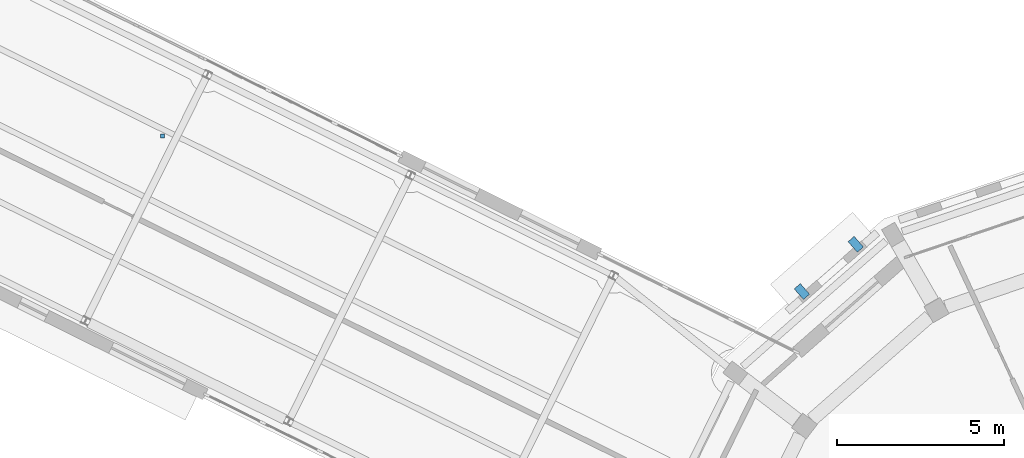
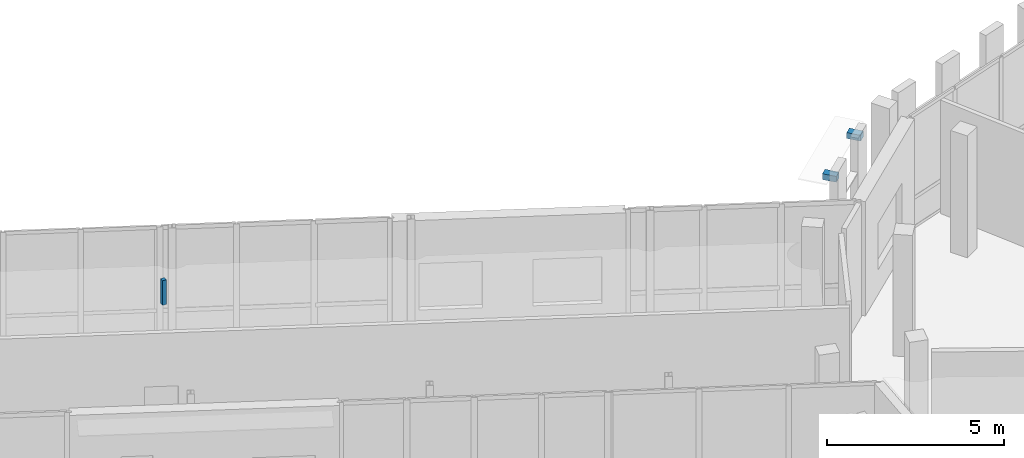
# One storey, part 117 of 125: 3 discrete accessories.
"""IFC4 building model written with IfcOpenShell, lengths in metres."""

import ifcopenshell
import ifcopenshell.guid

model = None  # the IFC model being written
_history = None  # IfcOwnerHistory: only IFC2X3 demands one
_inside = {}  # id of a spatial element -> (the spatial element, [elements in it])
_under = {}  # id of a project, library or spatial element -> (it, [spatial elements below it])
_declared = {}  # id of a project -> (the project, [libraries it declares])
_typed = {}  # id of a type object -> (the type object, [elements of that type])
_made_of = {}  # id of a material, layer set ... -> (it, [elements and type objects made of it])


def new_model(schema):
    """Start an empty IFC model of exactly this schema.

    Asked for "IFC4X3", IfcOpenShell would pick the latest addendum, in which some entities
    have other attributes; the version numbers below select the first issue.
    IFC2X3 requires an IfcOwnerHistory on every rooted entity: one is made here for all.
    """
    global model, _history
    if schema == "IFC4X3":
        model = ifcopenshell.file(schema_version=(4, 3, 0, 0))
    else:
        model = ifcopenshell.file(schema=schema)
    _inside.clear()
    _under.clear()
    _declared.clear()
    _typed.clear()
    _made_of.clear()
    _history = None
    if model.schema == "IFC2X3":
        org = make("IfcOrganization", Name="unknown")
        user = make(
            "IfcPersonAndOrganization",
            ThePerson=make("IfcPerson", FamilyName="unknown"),
            TheOrganization=org,
        )
        app = make(
            "IfcApplication",
            ApplicationDeveloper=org,
            Version="unknown",
            ApplicationFullName="unknown",
            ApplicationIdentifier="unknown",
        )
        _history = make(
            "IfcOwnerHistory",
            OwningUser=user,
            OwningApplication=app,
            ChangeAction="ADDED",
            CreationDate=0,
        )
    return model


def make(cls, **values):
    """One entity of the class cls with the attributes given. An attribute that is None is left unset."""
    return model.create_entity(
        cls, **{name: value for name, value in values.items() if value is not None}
    )


def rooted(cls, **values):
    """An entity with a GlobalId (a new one), such as an element, a storey or a relation."""
    return make(cls, GlobalId=ifcopenshell.guid.new(), OwnerHistory=_history, **values)


def si_unit(unit_type, name, prefix=None):
    """IfcSIUnit, for example si_unit("LENGTHUNIT", "METRE", prefix="MILLI")."""
    return make("IfcSIUnit", UnitType=unit_type, Prefix=prefix, Name=name)


def assignment(units):
    """IfcUnitAssignment: the units of a project."""
    return None if units is None else make("IfcUnitAssignment", Units=units)


def point(xyz):
    """IfcCartesianPoint."""
    return None if xyz is None else make("IfcCartesianPoint", Coordinates=xyz)


def direction(xyz):
    """IfcDirection."""
    return None if xyz is None else make("IfcDirection", DirectionRatios=xyz)


def frame(location, z_axis=None, x_axis=None):
    """IfcAxis2Placement3D, a coordinate frame: its origin and axes. An axis left out is left unset."""
    return make(
        "IfcAxis2Placement3D",
        Location=point(location),
        Axis=direction(z_axis),
        RefDirection=direction(x_axis),
    )


def frame_2d(location, x_axis=None):
    """IfcAxis2Placement2D, a coordinate frame in the plane: its origin and x axis."""
    return make(
        "IfcAxis2Placement2D", Location=point(location), RefDirection=direction(x_axis)
    )


def origin():
    """The frame at (0, 0, 0) with its axes left unset."""
    return frame((0.0, 0.0, 0.0))


def origin_2d():
    """The frame at (0, 0) in the plane with its x axis left unset."""
    return frame_2d((0.0, 0.0))


def place(relative_to, where):
    """IfcLocalPlacement: puts the frame where relative to a parent placement (None: the world)."""
    return make(
        "IfcLocalPlacement", PlacementRelTo=relative_to, RelativePlacement=where
    )


def context(
    kind, dimensions, precision=None, world=None, true_north=None, identifier=None
):
    """IfcGeometricRepresentationContext, for example the 3D "Model" context."""
    return make(
        "IfcGeometricRepresentationContext",
        ContextIdentifier=identifier,
        ContextType=kind,
        CoordinateSpaceDimension=dimensions,
        Precision=precision,
        WorldCoordinateSystem=world,
        TrueNorth=true_north,
    )


def subcontext(parent, identifier, kind, view, scale=None):
    """IfcGeometricRepresentationSubContext, for example "Body" below "Model"."""
    return make(
        "IfcGeometricRepresentationSubContext",
        ContextIdentifier=identifier,
        ContextType=kind,
        ParentContext=parent,
        TargetScale=scale,
        TargetView=view,
    )


def project(units=None, contexts=None):
    """IfcProject with its units and contexts."""
    return rooted(
        "IfcProject",
        Name="project",
        RepresentationContexts=contexts,
        UnitsInContext=assignment(units),
    )


def spatial(cls, under=None, at=None, **own):
    """A site, building, storey or space (cls), placed at a placement, below another one or the project."""
    s = rooted(cls, ObjectPlacement=at, **own)
    if under is not None:
        _under.setdefault(under.id(), (under, []))[1].append(s)
    return s


def profile(cls, at=None, kind="AREA", **sizes):
    """A parametric profile (cls). Its sizes go by their IFC names, for example OverallWidth=200.0."""
    return make(cls, ProfileType=kind, Position=at, **sizes)


def rectangle(**sizes):
    """IfcRectangleProfileDef."""
    return profile("IfcRectangleProfileDef", **sizes)


def extrude(swept, where, along, depth):
    """IfcExtrudedAreaSolid: the profile swept, set in the frame where, extruded along a direction by depth."""
    return make(
        "IfcExtrudedAreaSolid",
        SweptArea=swept,
        Position=where,
        ExtrudedDirection=direction(along),
        Depth=depth,
    )


def shape(context_of_items, identifier, shape_type, items):
    """IfcShapeRepresentation: the items that make up one representation, for example the "Body"."""
    return make(
        "IfcShapeRepresentation",
        ContextOfItems=context_of_items,
        RepresentationIdentifier=identifier,
        RepresentationType=shape_type,
        Items=items,
    )


def material(Name=None, Category=None):
    """IfcMaterial."""
    return make("IfcMaterial", Name=Name, Category=Category)


def made_of(thing, what):
    """Note that an element or type object is made of a material, layer set ...; save() writes the relation."""
    if what is not None:
        _made_of.setdefault(what.id(), (what, []))[1].append(thing)
    return thing


def type_object(cls, material=None, **own):
    """A type object (cls), such as IfcWallType, which elements share."""
    return made_of(rooted(cls, **own), material)


def element(
    cls,
    number,
    at=None,
    inside=None,
    cuts=None,
    type_object=None,
    material=None,
    context=None,
    identifier="Body",
    shape_type=None,
    held_by="IfcProductDefinitionShape",
    body=None,
    shapes=None,
    **own,
):
    """One element of the class cls, such as IfcWall. Its Tag is "e" and its number.

    at: its placement. inside: the storey or other place that contains it. cuts: it is an
    opening in that element (IfcRelVoidsElement). A single representation is given by context,
    identifier, shape_type and body (its items); several are given by shapes. held_by: the class
    of the entity that holds the representations. save() writes the other relations.
    """
    e = rooted(cls, Tag="e%d" % number, ObjectPlacement=at, **own)
    if body is not None:
        shapes = [shape(context, identifier, shape_type, body)]
    if shapes is not None:
        e.Representation = make(held_by, Representations=shapes)
    if inside is not None:
        _inside.setdefault(inside.id(), (inside, []))[1].append(e)
    if cuts is not None:
        rooted(
            "IfcRelVoidsElement", RelatingBuildingElement=cuts, RelatedOpeningElement=e
        )
    if type_object is not None:
        _typed.setdefault(type_object.id(), (type_object, []))[1].append(e)
    return made_of(e, material)


def aggregate(whole, parts):
    """IfcRelAggregates: a whole, such as a stair, and the parts it consists of."""
    return rooted("IfcRelAggregates", RelatingObject=whole, RelatedObjects=parts)


def save(model, path):
    """Write the relations noted so far, then the file.

    IfcRelAggregates (storeys below a building ...), IfcRelContainedInSpatialStructure (elements
    in a storey), IfcRelDefinesByType, IfcRelAssociatesMaterial and IfcRelDeclares: one each for
    every whole, place, type object, material and project.
    """
    for whole, parts in _under.values():
        aggregate(whole, parts)
    for where, things in _inside.values():
        rooted(
            "IfcRelContainedInSpatialStructure",
            RelatedElements=things,
            RelatingStructure=where,
        )
    for kind, things in _typed.values():
        rooted("IfcRelDefinesByType", RelatedObjects=things, RelatingType=kind)
    for what, things in _made_of.values():
        rooted("IfcRelAssociatesMaterial", RelatedObjects=things, RelatingMaterial=what)
    for by, libraries in _declared.values():
        rooted("IfcRelDeclares", RelatingContext=by, RelatedDefinitions=libraries)
    model.write(path)


model = new_model("IFC4")

# Units and contexts
model_context = context("Model", 3, precision=1e-05, world=origin(), true_north=direction((0.0, 1.0)))
body_context = subcontext(model_context, "Body", "Model", "MODEL_VIEW")
ifc_project = project(units=[si_unit("LENGTHUNIT", "METRE"), si_unit("AREAUNIT", "SQUARE_METRE"), si_unit("VOLUMEUNIT", "CUBIC_METRE"), si_unit("PLANEANGLEUNIT", "RADIAN"), si_unit("MASSUNIT", "GRAM", prefix="KILO")], contexts=[model_context])

# Site, building, storey
site_placement = place(None, origin())
site = spatial("IfcSite", under=ifc_project, at=site_placement, CompositionType="ELEMENT")
building_placement = place(site_placement, origin())
building = spatial("IfcBuilding", under=site, at=building_placement, Name="Wrenclough Park School", CompositionType="ELEMENT")
storey_placement = place(building_placement, frame((0.0, 0.0, 4.199951171875)))
storey = spatial("IfcBuildingStorey", under=building, at=storey_placement, Name="L01", CompositionType="ELEMENT", Elevation=4.199951171875)

# Discrete accessories
ifc_material_1 = material(Name="Austenitic stainless steel Grade 1.4401", Category="steel")
discrete_accessory_type_1 = type_object("IfcDiscreteAccessoryType", Name="ENV-BRK-01", PredefinedType="BRACKET", material=ifc_material_1)
for number, where, z_axis, x_axis, name in (
    (1, (165.35986328125, 107.11279296875, 3.5400390625), (0.0, 0.0, 1.0), (-0.751830604021, -0.659356309485, 0.0), "Brise-soleil stainless outrigger bracket 0065"),
    (2, (163.751953125, 105.70263671875, 3.5400390625), (0.0, 0.0, 1.0), (-0.751830604021, -0.659356309485, 0.0), "Brise-soleil stainless outrigger bracket 0066"),
):
    element("IfcDiscreteAccessory", number, at=place(storey_placement, frame(where, z_axis=z_axis, x_axis=x_axis)), inside=storey, type_object=discrete_accessory_type_1, Name=name, PredefinedType="BRACKET", context=body_context, shape_type="SweptSolid", body=[
        extrude(rectangle(XDim=0.239990234375, YDim=0.419921875, at=origin_2d()), origin(), (0.0, 0.0, 1.0), 0.199951171875),
    ])
ifc_material_2 = material(Name="Galvanised steel acoustic ceiling suspension hanger", Category="steel")
discrete_accessory_type_2 = type_object("IfcDiscreteAccessoryType", Name="INT-BRK-HGR", PredefinedType="BRACKET", material=ifc_material_2)
discrete_accessory_placement = place(storey_placement, frame((144.6669921875, 110.343505859375, 3.090087890625), z_axis=(0.0, 0.0, 1.0), x_axis=(1.0, 0.0, 0.0)))
element("IfcDiscreteAccessory", 3, at=discrete_accessory_placement, inside=storey, type_object=discrete_accessory_type_2, Name="Acoustic ceiling hanger bracket 0043", PredefinedType="BRACKET", context=body_context, shape_type="SweptSolid", body=[
    extrude(rectangle(XDim=0.1201171875, YDim=0.1201171875, at=origin_2d()), origin(), (0.0, 0.0, 1.0), 0.85009765625),
])

save(model, "model.ifc")
